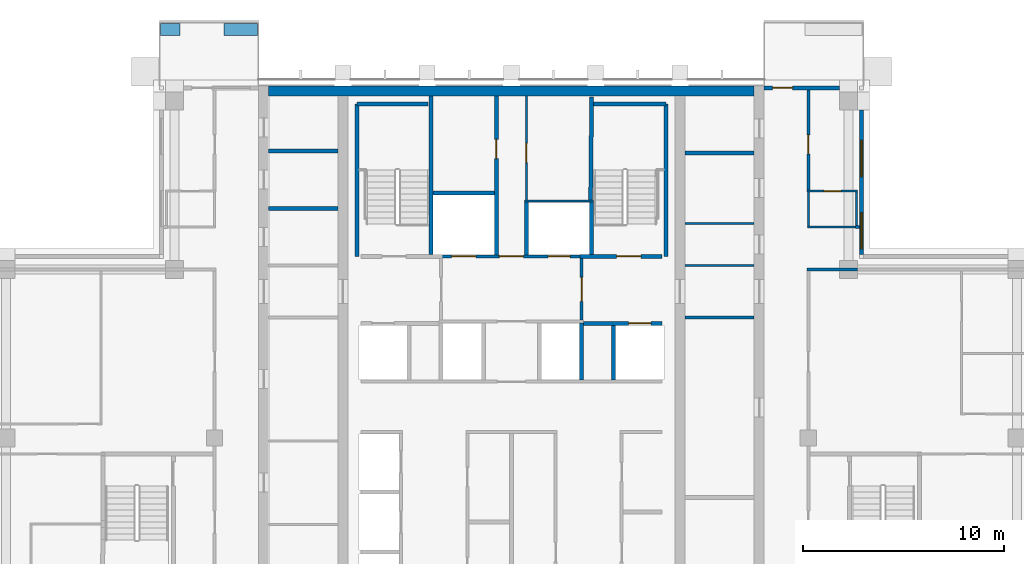
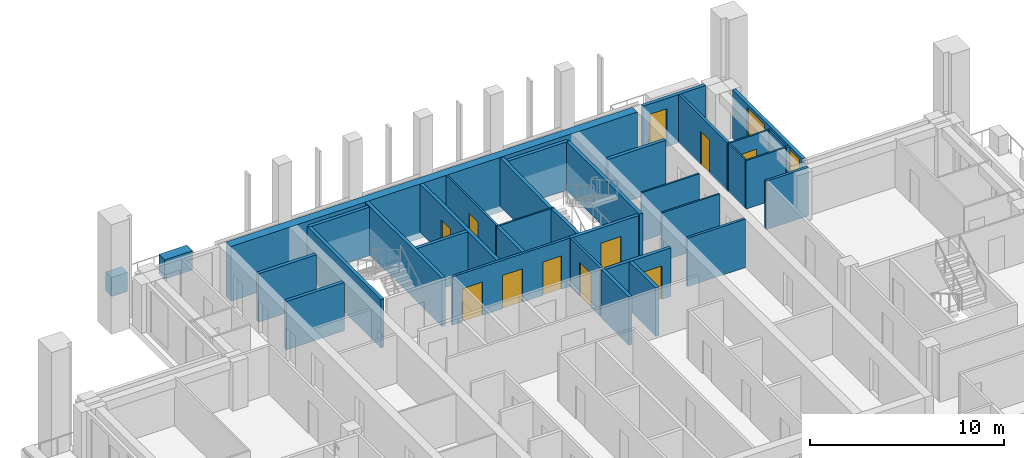
# One storey, part 11 of 16: 36 walls, 11 doors, 2 windows, 13 openings.
"""IFC4 building model written with IfcOpenShell, lengths in metres."""

from ifc_helpers import new_model, si_unit, direction, frame, frame_2d, origin, place, context, subcontext, project, spatial, rectangle, extrude, material, layer, layer_set, type_object, element, fill, save


model = new_model("IFC4")

# Units and contexts
model_context = context("Model", 3, precision=1e-05, world=origin(), true_north=direction((0.0, 1.0)))
body_context = subcontext(model_context, "Body", "Model", "MODEL_VIEW")
ifc_project = project(units=[si_unit("LENGTHUNIT", "METRE"), si_unit("AREAUNIT", "SQUARE_METRE"), si_unit("VOLUMEUNIT", "CUBIC_METRE"), si_unit("PLANEANGLEUNIT", "RADIAN"), si_unit("MASSUNIT", "GRAM", prefix="KILO")], contexts=[model_context])

# Site, building, storey
site_placement = place(None, origin())
site = spatial("IfcSite", under=ifc_project, at=site_placement, CompositionType="ELEMENT")
building_placement = place(site_placement, origin())
building = spatial("IfcBuilding", under=site, at=building_placement, Name="Vermilion Ogive Tower", CompositionType="ELEMENT")
storey_placement = place(building_placement, frame((0.0, 0.0, 233.800048828125)))
storey = spatial("IfcBuildingStorey", under=building, at=storey_placement, Name="L61", CompositionType="ELEMENT", Elevation=233.800048828125)

# Walls
ifc_material_1 = material(Name="Concrete B60", Category="concrete")
ifc_layer_1 = layer(ifc_material_1, 0.5)
ifc_layer_set_1 = layer_set([ifc_layer_1], Name="Core wall 500 B60")
wall_type_1 = type_object("IfcWallType", Name="Core wall 500 B60", PredefinedType="SHEAR", material=ifc_layer_set_1)
wall_1_placement = place(storey_placement, frame((-12.10009765625, 21.5, -0.400146484375), z_axis=(0.0, 0.0, 1.0), x_axis=(1.0, 0.0, 0.0)))
element("IfcWall", 1, at=wall_1_placement, inside=storey, type_object=wall_type_1, Name="L61-CORE-N", PredefinedType="SHEAR", context=body_context, shape_type="SweptSolid", body=[
    extrude(rectangle(XDim=24.2001953125, YDim=0.5, at=frame_2d((12.10009765625, 0.0))), origin(), (0.0, 0.0, 1.0), 3.4501953125),
])
ifc_material_2 = material(Name="Gypsum board partition on steel studs", Category="steel")
ifc_layer_2 = layer(ifc_material_2, 0.10009765625)
ifc_layer_set_2 = layer_set([ifc_layer_2], Name="Partition 100 bath")
wall_type_2 = type_object("IfcWallType", Name="Partition 100 bath", PredefinedType="PARTITIONING", material=ifc_layer_set_2)
wall_2_placement = place(storey_placement, frame((14.75, 14.699951171875, 0.0), z_axis=(0.0, 0.0, 1.0), x_axis=(1.0, 0.0, 0.0)))
element("IfcWall", 2, at=wall_2_placement, inside=storey, type_object=wall_type_2, Name="L61-W-W036", PredefinedType="PARTITIONING", context=body_context, shape_type="SweptSolid", body=[
    extrude(rectangle(XDim=2.5, YDim=0.10009765625, at=frame_2d((1.25, 0.0))), origin(), (0.0, 0.0, 1.0), 3.050048828125),
])

# Wall, opening, door
wall_3_placement = place(storey_placement, frame((14.72509765625, 16.5, 0.0), z_axis=(0.0, 0.0, 1.0), x_axis=(1.0, 0.0, 0.0)))
wall_3 = element("IfcWall", 3, at=wall_3_placement, inside=storey, type_object=wall_type_2, Name="L61-W-W039", PredefinedType="PARTITIONING", context=body_context, shape_type="SweptSolid", body=[
    extrude(rectangle(XDim=2.52490234375, YDim=0.10009765625, at=frame_2d((1.262451171875, 0.0))), origin(), (0.0, 0.0, 1.0), 3.050048828125),
])
opening_1_placement = place(wall_3_placement, frame((0.849853515625, 0.0, 0.0)))
opening_1 = element("IfcOpeningElement", 4, at=opening_1_placement, cuts=wall_3, Name="Opening D5G2022", PredefinedType="OPENING", context=body_context, shape_type="SweptSolid", body=[
    extrude(rectangle(XDim=0.85009765625, YDim=2.10009765625, at=frame_2d((0.425048828125, 1.050048828125))), frame((0.0, 0.06005859375, 0.0), z_axis=(0.0, -1.0, 0.0), x_axis=(1.0, 0.0, 0.0)), (0.0, 0.0, 1.0), 0.1201171875),
])
ifc_material_3 = material(Name="Timber door leaf", Category="wood")
door_type_1 = type_object("IfcDoorType", Name="Bath door 850 x 2100 FD30", OperationType="SINGLE_SWING_LEFT", PredefinedType="DOOR", material=ifc_material_3)
door_1_placement = place(opening_1_placement, origin())
door_1 = element("IfcDoor", 5, at=door_1_placement, inside=storey, type_object=door_type_1, Name="L61-D-D022", OperationType="SINGLE_SWING_RIGHT", OverallHeight=2.10009765625, OverallWidth=0.85009765625, PredefinedType="DOOR", context=body_context, shape_type="SweptSolid", body=[
    extrude(rectangle(XDim=0.85009765625, YDim=2.10009765625, at=frame_2d((0.425048828125, 1.050048828125))), frame((0.0, 0.02490234375, 0.0), z_axis=(0.0, -1.0, 0.0), x_axis=(1.0, 0.0, 0.0)), (0.0, 0.0, 1.0), 0.050048828125),
])
fill(opening_1, door_1)

# Walls
wall_4_placement = place(storey_placement, frame((14.800048828125, 14.75, 0.0), z_axis=(0.0, 0.0, 1.0), x_axis=(0.0, 1.0, 0.0)))
element("IfcWall", 6, at=wall_4_placement, inside=storey, type_object=wall_type_2, Name="L61-W-W070", PredefinedType="PARTITIONING", context=body_context, shape_type="SweptSolid", body=[
    extrude(rectangle(XDim=1.699951171875, YDim=0.10009765625, at=frame_2d((0.85009765625, 0.0))), origin(), (0.0, 0.0, 1.0), 3.050048828125),
])
wall_5_placement = place(storey_placement, frame((17.199951171875, 14.77490234375, 0.0), z_axis=(0.0, 0.0, 1.0), x_axis=(0.0, 1.0, 0.0)))
element("IfcWall", 7, at=wall_5_placement, inside=storey, type_object=wall_type_2, Name="L61-W-W073", PredefinedType="PARTITIONING", context=body_context, shape_type="SweptSolid", body=[
    extrude(rectangle(XDim=1.675048828125, YDim=0.10009765625, at=frame_2d((0.83740234375, 0.0))), origin(), (0.0, 0.0, 1.0), 3.050048828125),
])
wall_6_placement = place(storey_placement, frame((0.64990234375, 16.0, 0.0), z_axis=(0.0, 0.0, 1.0), x_axis=(1.0, 0.0, 0.0)))
element("IfcWall", 8, at=wall_6_placement, inside=storey, type_object=wall_type_2, Name="L61-CK-W-W018", PredefinedType="PARTITIONING", context=body_context, shape_type="SweptSolid", body=[
    extrude(rectangle(XDim=3.4501953125, YDim=0.10009765625, at=frame_2d((1.72509765625, 0.0))), origin(), (0.0, 0.0, 1.0), 3.050048828125),
])

# Wall, opening, door
wall_7_placement = place(storey_placement, frame((0.75, 16.050048828125, 0.0), z_axis=(0.0, 0.0, 1.0), x_axis=(0.0, 1.0, 0.0)))
wall_7 = element("IfcWall", 9, at=wall_7_placement, inside=storey, type_object=wall_type_2, Name="L61-CK-W-W030", PredefinedType="PARTITIONING", context=body_context, shape_type="SweptSolid", body=[
    extrude(rectangle(XDim=5.198974609375, YDim=0.10009765625, at=frame_2d((2.599609375, 0.0))), origin(), (0.0, 0.0, 1.0), 3.050048828125),
])
opening_2_placement = place(wall_7_placement, frame((1.875, 0.0, 0.0)))
opening_2 = element("IfcOpeningElement", 10, at=opening_2_placement, cuts=wall_7, Name="Opening DAA573", PredefinedType="OPENING", context=body_context, shape_type="SweptSolid", body=[
    extrude(rectangle(XDim=0.949951171875, YDim=2.10009765625, at=frame_2d((0.47509765625, 1.050048828125))), frame((0.0, 0.06005859375, 0.0), z_axis=(0.0, -1.0, 0.0), x_axis=(1.0, 0.0, 0.0)), (0.0, 0.0, 1.0), 0.1201171875),
])
ifc_material_4 = material(Name="Timber door leaf", Category="wood")
door_type_2 = type_object("IfcDoorType", Name="Service door 950 x 2100 FD60", OperationType="SINGLE_SWING_LEFT", PredefinedType="DOOR", material=ifc_material_4)
door_2_placement = place(opening_2_placement, origin())
door_2 = element("IfcDoor", 11, at=door_2_placement, inside=storey, type_object=door_type_2, Name="L61-CK-D-D022", OperationType="SINGLE_SWING_LEFT", OverallHeight=2.10009765625, OverallWidth=0.949951171875, PredefinedType="DOOR", context=body_context, shape_type="SweptSolid", body=[
    extrude(rectangle(XDim=0.949951171875, YDim=2.10009765625, at=frame_2d((0.47509765625, 1.050048828125))), frame((0.0, 0.02490234375, 0.0), z_axis=(0.0, -1.0, 0.0), x_axis=(1.0, 0.0, 0.0)), (0.0, 0.0, 1.0), 0.050048828125),
])
fill(opening_2, door_2)

# Walls
for number, where, z_axis, x_axis, name in (
    (12, (8.65087890625, 12.800048828125, 0.0), (0.0, 0.0, 1.0), (1.0, 0.0, 0.0), "L61-CKE-W-W003"),
    (13, (8.65087890625, 14.89111328125, 0.0), (0.0, 0.0, 1.0), (1.0, 0.0, 0.0), "L61-CKE-W-W004"),
):
    element("IfcWall", number, at=place(storey_placement, frame(where, z_axis=z_axis, x_axis=x_axis)), inside=storey, type_object=wall_type_2, Name=name, PredefinedType="PARTITIONING", context=body_context, shape_type="SweptSolid", body=[
        extrude(rectangle(XDim=3.4482421875, YDim=0.10009765625, at=frame_2d((1.72412109375, 0.0))), origin(), (0.0, 0.0, 1.0), 3.050048828125),
    ])
ifc_material_5 = material(Name="Gypsum board partition on steel studs", Category="steel")
ifc_layer_3 = layer(ifc_material_5, 0.14990234375)
ifc_layer_set_3 = layer_set([ifc_layer_3], Name="Partition 150 corridor")
wall_type_3 = type_object("IfcWallType", Name="Partition 150 corridor", PredefinedType="PARTITIONING", material=ifc_layer_set_3)
wall_8_placement = place(storey_placement, frame((14.72509765625, 12.60009765625, 0.0), z_axis=(0.0, 0.0, 1.0), x_axis=(1.0, 0.0, 0.0)))
element("IfcWall", 14, at=wall_8_placement, inside=storey, type_object=wall_type_3, Name="L61-W-W033", PredefinedType="PARTITIONING", context=body_context, shape_type="SweptSolid", body=[
    extrude(rectangle(XDim=2.52490234375, YDim=0.14990234375, at=frame_2d((1.262451171875, 0.0))), origin(), (0.0, 0.0, 1.0), 3.050048828125),
])
wall_9_placement = place(storey_placement, frame((17.14990234375, 14.699951171875, 0.0), z_axis=(0.0, 0.0, 1.0), x_axis=(1.0, 0.0, 0.0)))
element("IfcWall", 15, at=wall_9_placement, inside=storey, type_object=wall_type_3, Name="L61-W-W037", PredefinedType="PARTITIONING", context=body_context, shape_type="SweptSolid", body=[
    extrude(rectangle(XDim=0.2001953125, YDim=0.14990234375, at=frame_2d((0.10009765625, 0.0))), origin(), (0.0, 0.0, 1.0), 3.050048828125),
])

# Wall, opening, door
wall_10_placement = place(storey_placement, frame((14.800048828125, 16.550048828125, 0.0), z_axis=(0.0, 0.0, 1.0), x_axis=(0.0, 1.0, 0.0)))
wall_10 = element("IfcWall", 16, at=wall_10_placement, inside=storey, type_object=wall_type_3, Name="L61-W-W071", PredefinedType="PARTITIONING", context=body_context, shape_type="SweptSolid", body=[
    extrude(rectangle(XDim=5.0, YDim=0.14990234375, at=frame_2d((2.5, 0.0))), origin(), (0.0, 0.0, 1.0), 3.050048828125),
])
opening_3_placement = place(wall_10_placement, frame((1.800048828125, 0.0, 0.0)))
opening_3 = element("IfcOpeningElement", 17, at=opening_3_placement, cuts=wall_10, Name="Opening D5G2021", PredefinedType="OPENING", context=body_context, shape_type="SweptSolid", body=[
    extrude(rectangle(XDim=0.949951171875, YDim=2.10009765625, at=frame_2d((0.47509765625, 1.050048828125))), frame((0.0, 0.0849609375, 0.0), z_axis=(0.0, -1.0, 0.0), x_axis=(1.0, 0.0, 0.0)), (0.0, 0.0, 1.0), 0.169921875),
])
ifc_material_6 = material(Name="Timber door leaf", Category="wood")
door_type_3 = type_object("IfcDoorType", Name="Unit door 950 x 2100 FD30S", OperationType="SINGLE_SWING_LEFT", PredefinedType="DOOR", material=ifc_material_6)
door_3_placement = place(opening_3_placement, origin())
door_3 = element("IfcDoor", 18, at=door_3_placement, inside=storey, type_object=door_type_3, Name="L61-D-D021", OperationType="SINGLE_SWING_LEFT", OverallHeight=2.10009765625, OverallWidth=0.949951171875, PredefinedType="DOOR", context=body_context, shape_type="SweptSolid", body=[
    extrude(rectangle(XDim=0.949951171875, YDim=2.10009765625, at=frame_2d((0.47509765625, 1.050048828125))), frame((0.0, 0.02490234375, 0.0), z_axis=(0.0, -1.0, 0.0), x_axis=(1.0, 0.0, 0.0)), (0.0, 0.0, 1.0), 0.050048828125),
])
fill(opening_3, door_3)

# Wall, openings, doors
wall_11_placement = place(storey_placement, frame((-3.574951171875, 13.25, 0.0), z_axis=(0.0, 0.0, 1.0), x_axis=(1.0, 0.0, 0.0)))
wall_11 = element("IfcWall", 19, at=wall_11_placement, inside=storey, type_object=wall_type_3, Name="L61-CK-W-W016", PredefinedType="PARTITIONING", context=body_context, shape_type="SweptSolid", body=[
    extrude(rectangle(XDim=7.14990234375, YDim=0.14990234375, at=frame_2d((3.574951171875, 0.0))), origin(), (0.0, 0.0, 1.0), 3.050048828125),
])
opening_4_placement = place(wall_11_placement, frame((0.599853515625, 0.0, 0.0)))
opening_4 = element("IfcOpeningElement", 20, at=opening_4_placement, cuts=wall_11, Name="Opening DAA584", PredefinedType="OPENING", context=body_context, shape_type="SweptSolid", body=[
    extrude(rectangle(XDim=1.199951171875, YDim=2.10009765625, at=frame_2d((0.60009765625, 1.050048828125))), frame((0.0, 0.0849609375, 0.0), z_axis=(0.0, -1.0, 0.0), x_axis=(1.0, 0.0, 0.0)), (0.0, 0.0, 1.0), 0.169921875),
])
opening_5_placement = place(wall_11_placement, frame((5.39990234375, 0.0, 0.0)))
opening_5 = element("IfcOpeningElement", 21, at=opening_5_placement, cuts=wall_11, Name="Opening DAA583", PredefinedType="OPENING", context=body_context, shape_type="SweptSolid", body=[
    extrude(rectangle(XDim=1.10009765625, YDim=2.10009765625, at=frame_2d((0.550048828125, 1.050048828125))), frame((0.0, 0.0849609375, 0.0), z_axis=(0.0, -1.0, 0.0), x_axis=(1.0, 0.0, 0.0)), (0.0, 0.0, 1.0), 0.169921875),
])
opening_6_placement = place(wall_11_placement, frame((2.974853515625, 0.0, 0.0)))
opening_6 = element("IfcOpeningElement", 22, at=opening_6_placement, cuts=wall_11, Name="Opening DAA565", PredefinedType="OPENING", context=body_context, shape_type="SweptSolid", body=[
    extrude(rectangle(XDim=1.199951171875, YDim=2.10009765625, at=frame_2d((0.60009765625, 1.050048828125))), frame((0.0, 0.0849609375, 0.0), z_axis=(0.0, -1.0, 0.0), x_axis=(1.0, 0.0, 0.0)), (0.0, 0.0, 1.0), 0.169921875),
])
ifc_material_7 = material(Name="Stainless steel", Category="steel")
door_type_4 = type_object("IfcDoorType", Name="Lift landing door 1100 x 2100", OperationType="SLIDING_TO_LEFT", PredefinedType="DOOR", material=ifc_material_7)
door_4_placement = place(opening_5_placement, origin())
door_4 = element("IfcDoor", 23, at=door_4_placement, inside=storey, type_object=door_type_4, Name="L61-CK-D-D019", OperationType="SLIDING_TO_LEFT", OverallHeight=2.10009765625, OverallWidth=1.10009765625, PredefinedType="DOOR", context=body_context, shape_type="SweptSolid", body=[
    extrude(rectangle(XDim=1.10009765625, YDim=2.10009765625, at=frame_2d((0.550048828125, 1.050048828125))), frame((0.0, 0.02490234375, 0.0), z_axis=(0.0, -1.0, 0.0), x_axis=(1.0, 0.0, 0.0)), (0.0, 0.0, 1.0), 0.050048828125),
])
fill(opening_5, door_4)
ifc_material_8 = material(Name="Stainless steel", Category="steel")
door_type_5 = type_object("IfcDoorType", Name="Lift landing door 1200 x 2100", OperationType="SLIDING_TO_LEFT", PredefinedType="DOOR", material=ifc_material_8)
door_5_placement = place(opening_4_placement, origin())
door_5 = element("IfcDoor", 24, at=door_5_placement, inside=storey, type_object=door_type_5, Name="L61-CK-D-D018", OperationType="SLIDING_TO_RIGHT", OverallHeight=2.10009765625, OverallWidth=1.199951171875, PredefinedType="DOOR", context=body_context, shape_type="SweptSolid", body=[
    extrude(rectangle(XDim=1.199951171875, YDim=2.10009765625, at=frame_2d((0.60009765625, 1.050048828125))), frame((0.0, 0.02490234375, 0.0), z_axis=(0.0, -1.0, 0.0), x_axis=(1.0, 0.0, 0.0)), (0.0, 0.0, 1.0), 0.050048828125),
])
fill(opening_4, door_5)
ifc_material_9 = material(Name="Timber door leaf", Category="wood")
door_type_6 = type_object("IfcDoorType", Name="Service door 1200 x 2100 FD60", OperationType="SINGLE_SWING_LEFT", PredefinedType="DOOR", material=ifc_material_9)
door_6_placement = place(opening_6_placement, origin())
door_6 = element("IfcDoor", 25, at=door_6_placement, inside=storey, type_object=door_type_6, Name="L61-CK-D-D020", OperationType="SINGLE_SWING_RIGHT", OverallHeight=2.10009765625, OverallWidth=1.199951171875, PredefinedType="DOOR", context=body_context, shape_type="SweptSolid", body=[
    extrude(rectangle(XDim=1.199951171875, YDim=2.10009765625, at=frame_2d((0.60009765625, 1.050048828125))), frame((0.0, 0.02490234375, 0.0), z_axis=(0.0, -1.0, 0.0), x_axis=(1.0, 0.0, 0.0)), (0.0, 0.0, 1.0), 0.050048828125),
])
fill(opening_6, door_6)

# Wall, opening, door
wall_12_placement = place(storey_placement, frame((3.5, 10.074951171875, 0.0), z_axis=(0.0, 0.0, 1.0), x_axis=(0.0, 1.0, 0.0)))
wall_12 = element("IfcWall", 26, at=wall_12_placement, inside=storey, type_object=wall_type_3, Name="L61-CK-W-W034", PredefinedType="PARTITIONING", context=body_context, shape_type="SweptSolid", body=[
    extrude(rectangle(XDim=3.074951171875, YDim=0.14990234375, at=frame_2d((1.53759765625, 0.0))), origin(), (0.0, 0.0, 1.0), 3.050048828125),
])
opening_7_placement = place(wall_12_placement, frame((0.925048828125, 0.0, 0.0)))
opening_7 = element("IfcOpeningElement", 27, at=opening_7_placement, cuts=wall_12, Name="Opening DAA562", PredefinedType="OPENING", context=body_context, shape_type="SweptSolid", body=[
    extrude(rectangle(XDim=1.199951171875, YDim=2.10009765625, at=frame_2d((0.60009765625, 1.050048828125))), frame((0.0, 0.0849609375, 0.0), z_axis=(0.0, -1.0, 0.0), x_axis=(1.0, 0.0, 0.0)), (0.0, 0.0, 1.0), 0.169921875),
])
ifc_material_10 = material(Name="Timber door leaf", Category="wood")
door_type_7 = type_object("IfcDoorType", Name="Lobby door 1200 x 2100 FD60S", OperationType="SINGLE_SWING_LEFT", PredefinedType="DOOR", material=ifc_material_10)
door_7_placement = place(opening_7_placement, origin())
door_7 = element("IfcDoor", 28, at=door_7_placement, inside=storey, type_object=door_type_7, Name="L61-CK-D-D024", OperationType="SINGLE_SWING_LEFT", OverallHeight=2.10009765625, OverallWidth=1.199951171875, PredefinedType="DOOR", context=body_context, shape_type="SweptSolid", body=[
    extrude(rectangle(XDim=1.199951171875, YDim=2.10009765625, at=frame_2d((0.60009765625, 1.050048828125))), frame((0.0, 0.02490234375, 0.0), z_axis=(0.0, -1.0, 0.0), x_axis=(1.0, 0.0, 0.0)), (0.0, 0.0, 1.0), 0.050048828125),
])
fill(opening_7, door_7)

# Wall
wall_13_placement = place(storey_placement, frame((8.65087890625, 10.199951171875, 0.0), z_axis=(0.0, 0.0, 1.0), x_axis=(1.0, 0.0, 0.0)))
element("IfcWall", 29, at=wall_13_placement, inside=storey, type_object=wall_type_3, Name="L61-CKE-W-W002", PredefinedType="PARTITIONING", context=body_context, shape_type="SweptSolid", body=[
    extrude(rectangle(XDim=3.4482421875, YDim=0.14990234375, at=frame_2d((1.72412109375, 0.0))), origin(), (0.0, 0.0, 1.0), 3.050048828125),
])

# Wall, opening, door
ifc_material_11 = material(Name="Gypsum board partition on steel studs", Category="steel")
ifc_layer_4 = layer(ifc_material_11, 0.199951171875)
ifc_layer_set_4 = layer_set([ifc_layer_4], Name="Partition 200 party")
wall_type_4 = type_object("IfcWallType", Name="Partition 200 party", PredefinedType="PARTITIONING", material=ifc_layer_set_4)
wall_14_placement = place(storey_placement, frame((3.60009765625, 9.89990234375, 0.0), z_axis=(0.0, 0.0, 1.0), x_axis=(1.0, 0.0, 0.0)))
wall_14 = element("IfcWall", 30, at=wall_14_placement, inside=storey, type_object=wall_type_4, Name="L61-CK-W-W013", PredefinedType="PARTITIONING", context=body_context, shape_type="SweptSolid", body=[
    extrude(rectangle(XDim=3.89990234375, YDim=0.199951171875, at=frame_2d((1.949951171875, 0.0))), origin(), (0.0, 0.0, 1.0), 3.050048828125),
])
opening_8_placement = place(wall_14_placement, frame((2.25, 0.0, 0.0)))
opening_8 = element("IfcOpeningElement", 31, at=opening_8_placement, cuts=wall_14, Name="Opening DAA582", PredefinedType="OPENING", context=body_context, shape_type="SweptSolid", body=[
    extrude(rectangle(XDim=1.10009765625, YDim=2.10009765625, at=frame_2d((0.550048828125, 1.050048828125))), frame((0.0, 0.10986328125, 0.0), z_axis=(0.0, -1.0, 0.0), x_axis=(1.0, 0.0, 0.0)), (0.0, 0.0, 1.0), 0.219970703125),
])
door_8_placement = place(opening_8_placement, origin())
door_8 = element("IfcDoor", 32, at=door_8_placement, inside=storey, type_object=door_type_4, Name="L61-CK-D-D015", OperationType="SLIDING_TO_LEFT", OverallHeight=2.10009765625, OverallWidth=1.10009765625, PredefinedType="DOOR", context=body_context, shape_type="SweptSolid", body=[
    extrude(rectangle(XDim=1.10009765625, YDim=2.10009765625, at=frame_2d((0.550048828125, 1.050048828125))), frame((0.0, 0.02490234375, 0.0), z_axis=(0.0, -1.0, 0.0), x_axis=(1.0, 0.0, 0.0)), (0.0, 0.0, 1.0), 0.050048828125),
])
fill(opening_8, door_8)

# Wall
wall_15_placement = place(storey_placement, frame((-3.89990234375, 16.39990234375, 0.0), z_axis=(0.0, 0.0, 1.0), x_axis=(1.0, 0.0, 0.0)))
element("IfcWall", 33, at=wall_15_placement, inside=storey, type_object=wall_type_4, Name="L61-CK-W-W019", PredefinedType="PARTITIONING", context=body_context, shape_type="SweptSolid", body=[
    extrude(rectangle(XDim=3.0498046875, YDim=0.199951171875, at=frame_2d((1.52490234375, 0.0))), origin(), (0.0, 0.0, 1.0), 3.050048828125),
])

# Wall, opening, door
wall_16_placement = place(storey_placement, frame((-0.75, 13.324951171875, 0.0), z_axis=(0.0, 0.0, 1.0), x_axis=(0.0, 1.0, 0.0)))
wall_16 = element("IfcWall", 34, at=wall_16_placement, inside=storey, type_object=wall_type_4, Name="L61-CK-W-W027", PredefinedType="PARTITIONING", context=body_context, shape_type="SweptSolid", body=[
    extrude(rectangle(XDim=7.924072265625, YDim=0.199951171875, at=frame_2d((3.9619140625, 0.0))), origin(), (0.0, 0.0, 1.0), 3.050048828125),
])
opening_9_placement = place(wall_16_placement, frame((4.800048828125, 0.0, 0.0)))
opening_9 = element("IfcOpeningElement", 35, at=opening_9_placement, cuts=wall_16, Name="Opening DAA572", PredefinedType="OPENING", context=body_context, shape_type="SweptSolid", body=[
    extrude(rectangle(XDim=0.949951171875, YDim=2.10009765625, at=frame_2d((0.47509765625, 1.050048828125))), frame((0.0, 0.10986328125, 0.0), z_axis=(0.0, -1.0, 0.0), x_axis=(1.0, 0.0, 0.0)), (0.0, 0.0, 1.0), 0.219970703125),
])
door_9_placement = place(opening_9_placement, origin())
door_9 = element("IfcDoor", 36, at=door_9_placement, inside=storey, type_object=door_type_2, Name="L61-CK-D-D021", OperationType="SINGLE_SWING_RIGHT", OverallHeight=2.10009765625, OverallWidth=0.949951171875, PredefinedType="DOOR", context=body_context, shape_type="SweptSolid", body=[
    extrude(rectangle(XDim=0.949951171875, YDim=2.10009765625, at=frame_2d((0.47509765625, 1.050048828125))), frame((0.0, 0.02490234375, 0.0), z_axis=(0.0, -1.0, 0.0), x_axis=(1.0, 0.0, 0.0)), (0.0, 0.0, 1.0), 0.050048828125),
])
fill(opening_9, door_9)

# Walls
wall_17_placement = place(storey_placement, frame((0.75, 13.324951171875, 0.0), z_axis=(0.0, 0.0, 1.0), x_axis=(0.0, 1.0, 0.0)))
element("IfcWall", 37, at=wall_17_placement, inside=storey, type_object=wall_type_4, Name="L61-CK-W-W029", PredefinedType="PARTITIONING", context=body_context, shape_type="SweptSolid", body=[
    extrude(rectangle(XDim=2.625, YDim=0.199951171875, at=frame_2d((1.3125, 0.0))), origin(), (0.0, 0.0, 1.0), 3.050048828125),
])
wall_18_placement = place(storey_placement, frame((3.5, 7.074951171875, 0.0), z_axis=(0.0, 0.0, 1.0), x_axis=(0.0, 1.0, 0.0)))
element("IfcWall", 38, at=wall_18_placement, inside=storey, type_object=wall_type_4, Name="L61-CK-W-W033", PredefinedType="PARTITIONING", context=body_context, shape_type="SweptSolid", body=[
    extrude(rectangle(XDim=2.85009765625, YDim=0.199951171875, at=frame_2d((1.425048828125, 0.0))), origin(), (0.0, 0.0, 1.0), 3.050048828125),
])
wall_19_placement = place(storey_placement, frame((5.10009765625, 7.074951171875, 0.0), z_axis=(0.0, 0.0, 1.0), x_axis=(0.0, 1.0, 0.0)))
element("IfcWall", 39, at=wall_19_placement, inside=storey, type_object=wall_type_4, Name="L61-CK-W-W037", PredefinedType="PARTITIONING", context=body_context, shape_type="SweptSolid", body=[
    extrude(rectangle(XDim=2.72509765625, YDim=0.199951171875, at=frame_2d((1.362548828125, 0.0))), origin(), (0.0, 0.0, 1.0), 3.050048828125),
])
for number, where, z_axis, x_axis, name in (
    (40, (-12.09912109375, 15.636962890625, 0.0), (0.0, 0.0, 1.0), (1.0, 0.0, 0.0), "L61-CKW-W-W005"),
    (41, (-12.09912109375, 18.509033203125, 0.0), (0.0, 0.0, 1.0), (1.0, 0.0, 0.0), "L61-CKW-W-W006"),
    (42, (8.65087890625, 18.410888671875, 0.0), (0.0, 0.0, 1.0), (1.0, 0.0, 0.0), "L61-CKE-W-W005"),
):
    element("IfcWall", number, at=place(storey_placement, frame(where, z_axis=z_axis, x_axis=x_axis)), inside=storey, type_object=wall_type_4, Name=name, PredefinedType="PARTITIONING", context=body_context, shape_type="SweptSolid", body=[
        extrude(rectangle(XDim=3.4482421875, YDim=0.199951171875, at=frame_2d((1.72412109375, 0.0))), origin(), (0.0, 0.0, 1.0), 3.050048828125),
    ])

# Wall, opening, door
ifc_material_12 = material(Name="Concrete B60", Category="concrete")
ifc_layer_5 = layer(ifc_material_12, 0.199951171875)
ifc_layer_set_5 = layer_set([ifc_layer_5], Name="Stair shaft wall 200 Concrete B60")
wall_type_5 = type_object("IfcWallType", Name="Stair shaft wall 200 Concrete B60", PredefinedType="SOLIDWALL", material=ifc_layer_set_5)
wall_20_placement = place(storey_placement, frame((3.425048828125, 13.25, 0.0), z_axis=(0.0, 0.0, 1.0), x_axis=(1.0, 0.0, 0.0)))
wall_20 = element("IfcWall", 43, at=wall_20_placement, inside=storey, type_object=wall_type_5, Name="L61-CK-W-W017", PredefinedType="SOLIDWALL", context=body_context, shape_type="SweptSolid", body=[
    extrude(rectangle(XDim=4.074951171875, YDim=0.199951171875, at=frame_2d((2.03759765625, 0.0))), origin(), (0.0, 0.0, 1.0), 3.050048828125),
])
opening_10_placement = place(wall_20_placement, frame((1.824951171875, 0.0, 0.0)))
opening_10 = element("IfcOpeningElement", 44, at=opening_10_placement, cuts=wall_20, Name="Opening DAA575", PredefinedType="OPENING", context=body_context, shape_type="SweptSolid", body=[
    extrude(rectangle(XDim=1.199951171875, YDim=2.10009765625, at=frame_2d((0.60009765625, 1.050048828125))), frame((0.0, 0.10986328125, 0.0), z_axis=(0.0, -1.0, 0.0), x_axis=(1.0, 0.0, 0.0)), (0.0, 0.0, 1.0), 0.219970703125),
])
ifc_material_13 = material(Name="Timber door leaf", Category="wood")
door_type_8 = type_object("IfcDoorType", Name="Stair door 1200 x 2100 FD60S", OperationType="SINGLE_SWING_LEFT", PredefinedType="DOOR", material=ifc_material_13)
door_10_placement = place(opening_10_placement, origin())
door_10 = element("IfcDoor", 45, at=door_10_placement, inside=storey, type_object=door_type_8, Name="L61-CK-D-D014", OperationType="SINGLE_SWING_RIGHT", OverallHeight=2.10009765625, OverallWidth=1.199951171875, PredefinedType="DOOR", context=body_context, shape_type="SweptSolid", body=[
    extrude(rectangle(XDim=1.199951171875, YDim=2.10009765625, at=frame_2d((0.60009765625, 1.050048828125))), frame((0.0, 0.02490234375, 0.0), z_axis=(0.0, -1.0, 0.0), x_axis=(1.0, 0.0, 0.0)), (0.0, 0.0, 1.0), 0.050048828125),
])
fill(opening_10, door_10)

# Walls
wall_21_placement = place(storey_placement, frame((-4.0, 13.35009765625, 0.0), z_axis=(0.0, 0.0, 1.0), x_axis=(0.0, 1.0, 0.0)))
element("IfcWall", 46, at=wall_21_placement, inside=storey, type_object=wall_type_5, Name="L61-CK-W-W022", PredefinedType="SOLIDWALL", context=body_context, shape_type="SweptSolid", body=[
    extrude(rectangle(XDim=7.89892578125, YDim=0.199951171875, at=frame_2d((3.949462890625, 0.0))), origin(), (0.0, 0.0, 1.0), 3.050048828125),
])
wall_22_placement = place(storey_placement, frame((4.0, 13.35009765625, 0.0), z_axis=(0.0, 0.0, 1.0), x_axis=(0.0, 1.0, 0.0)))
element("IfcWall", 47, at=wall_22_placement, inside=storey, type_object=wall_type_5, Name="L61-CK-W-W035", PredefinedType="SOLIDWALL", context=body_context, shape_type="SweptSolid", body=[
    extrude(rectangle(XDim=2.599853515625, YDim=0.199951171875, at=frame_2d((1.2998046875, 0.0))), origin(), (0.0, 0.0, 1.0), 3.050048828125),
])
wall_23_placement = place(storey_placement, frame((3.949951171875, 16.050048828125, 0.0), z_axis=(0.0, 0.0, 1.0), x_axis=(0.009719787395, 0.999952761751, 0.0)))
element("IfcWall", 48, at=wall_23_placement, inside=storey, type_object=wall_type_5, Name="L61-CK-W-W036", PredefinedType="SOLIDWALL", context=body_context, shape_type="SweptSolid", body=[
    extrude(rectangle(XDim=5.149169921875, YDim=0.199951171875, at=frame_2d((2.57470703125, 0.0))), origin(), (0.0, 0.0, 1.0), 3.050048828125),
])
wall_24_placement = place(storey_placement, frame((-7.699951171875, 13.25, 0.0), z_axis=(0.0, 0.0, 1.0), x_axis=(0.0, 1.0, 0.0)))
element("IfcWall", 49, at=wall_24_placement, inside=storey, type_object=wall_type_5, Name="L61-SW-R017-W1", PredefinedType="SOLIDWALL", context=body_context, shape_type="SweptSolid", body=[
    extrude(rectangle(XDim=7.60009765625, YDim=0.199951171875, at=frame_2d((3.800048828125, 0.0))), origin(), (0.0, 0.0, 1.0), 3.050048828125),
])
wall_25_placement = place(storey_placement, frame((-7.699951171875, 20.85009765625, 0.0), z_axis=(0.0, 0.0, 1.0), x_axis=(1.0, 0.0, 0.0)))
element("IfcWall", 50, at=wall_25_placement, inside=storey, type_object=wall_type_5, Name="L61-SW-R017-N1", PredefinedType="SOLIDWALL", context=body_context, shape_type="SweptSolid", body=[
    extrude(rectangle(XDim=3.550048828125, YDim=0.199951171875, at=frame_2d((1.77490234375, 0.0))), origin(), (0.0, 0.0, 1.0), 3.050048828125),
])
wall_26_placement = place(storey_placement, frame((7.699951171875, 13.25, 0.0), z_axis=(0.0, 0.0, 1.0), x_axis=(0.0, 1.0, 0.0)))
element("IfcWall", 51, at=wall_26_placement, inside=storey, type_object=wall_type_5, Name="L61-SW-R021-E1", PredefinedType="SOLIDWALL", context=body_context, shape_type="SweptSolid", body=[
    extrude(rectangle(XDim=7.60009765625, YDim=0.199951171875, at=frame_2d((3.800048828125, 0.0))), origin(), (0.0, 0.0, 1.0), 3.050048828125),
])
wall_27_placement = place(storey_placement, frame((4.10009765625, 20.85009765625, 0.0), z_axis=(0.0, 0.0, 1.0), x_axis=(1.0, 0.0, 0.0)))
element("IfcWall", 52, at=wall_27_placement, inside=storey, type_object=wall_type_5, Name="L61-SW-R021-N1", PredefinedType="SOLIDWALL", context=body_context, shape_type="SweptSolid", body=[
    extrude(rectangle(XDim=3.599853515625, YDim=0.199951171875, at=frame_2d((1.7998046875, 0.0))), origin(), (0.0, 0.0, 1.0), 3.050048828125),
])
ifc_material_14 = material(Name="Concrete B40", Category="concrete")
ifc_layer_6 = layer(ifc_material_14, 0.60009765625)
ifc_layer_set_6 = layer_set([ifc_layer_6], Name="Structural planter")
wall_type_6 = type_object("IfcWallType", Name="Structural planter", PredefinedType="USERDEFINED", material=ifc_layer_set_6)
wall_28_placement = place(storey_placement, frame((-12.659912109375, 24.550048828125, -0.0400390625), z_axis=(0.0, 0.0, 1.0), x_axis=(-1.0, 0.0, 0.0)))
element("IfcWall", 53, at=wall_28_placement, inside=storey, type_object=wall_type_6, Name="Planter N201A1", ObjectType="PLANTER", PredefinedType="USERDEFINED", context=body_context, shape_type="SweptSolid", body=[
    extrude(rectangle(XDim=1.6650390625, YDim=0.60009765625, at=frame_2d((0.83251953125, 0.0))), origin(), (0.0, 0.0, 1.0), 1.199951171875),
])
wall_29_placement = place(storey_placement, frame((-16.52490234375, 24.550048828125, -0.0400390625), z_axis=(0.0, 0.0, 1.0), x_axis=(-1.0, 0.0, 0.0)))
element("IfcWall", 54, at=wall_29_placement, inside=storey, type_object=wall_type_6, Name="Planter N201A2", ObjectType="PLANTER", PredefinedType="USERDEFINED", context=body_context, shape_type="SweptSolid", body=[
    extrude(rectangle(XDim=0.965087890625, YDim=0.60009765625, at=frame_2d((0.482421875, 0.0))), origin(), (0.0, 0.0, 1.0), 1.199951171875),
])

# Wall, openings, windows
ifc_material_15 = material(Name="Aluminium window wall framing", Category="aluminium")
ifc_layer_7 = layer(ifc_material_15, 0.199951171875)
ifc_layer_set_7 = layer_set([ifc_layer_7], Name="Window wall")
wall_type_7 = type_object("IfcWallType", Name="Window wall", PredefinedType="STANDARD", material=ifc_layer_set_7)
wall_30_placement = place(storey_placement, frame((17.449951171875, 13.35009765625, 0.0), z_axis=(0.0, 0.0, 1.0), x_axis=(0.0, 1.0, 0.0)))
wall_30 = element("IfcWall", 55, at=wall_30_placement, inside=storey, type_object=wall_type_7, Name="Window wall X41", PredefinedType="STANDARD", context=body_context, shape_type="SweptSolid", body=[
    extrude(rectangle(XDim=7.199951171875, YDim=0.199951171875, at=frame_2d((3.60009765625, 0.0))), origin(), (0.0, 0.0, 1.0), 3.050048828125),
])
opening_11_placement = place(wall_30_placement, frame((0.27490234375, 0.0, 0.199951171875)))
opening_11 = element("IfcOpeningElement", 56, at=opening_11_placement, cuts=wall_30, Name="Opening W1-X403", PredefinedType="OPENING", context=body_context, shape_type="SweptSolid", body=[
    extrude(rectangle(XDim=1.800048828125, YDim=2.64990234375, at=frame_2d((0.89990234375, 1.324951171875))), frame((0.0, 0.10986328125, 0.0), z_axis=(0.0, -1.0, 0.0), x_axis=(1.0, 0.0, 0.0)), (0.0, 0.0, 1.0), 0.219970703125),
])
opening_12_placement = place(wall_30_placement, frame((3.875, 0.0, 0.199951171875)))
opening_12 = element("IfcOpeningElement", 57, at=opening_12_placement, cuts=wall_30, Name="Opening W1-X404", PredefinedType="OPENING", context=body_context, shape_type="SweptSolid", body=[
    extrude(rectangle(XDim=1.800048828125, YDim=2.64990234375, at=frame_2d((0.89990234375, 1.324951171875))), frame((0.0, 0.10986328125, 0.0), z_axis=(0.0, -1.0, 0.0), x_axis=(1.0, 0.0, 0.0)), (0.0, 0.0, 1.0), 0.219970703125),
])
ifc_material_16 = material(Name="Aluminium framed double glazing", Category="aluminium")
window_type = type_object("IfcWindowType", Name="Guest window W1", PartitioningType="SINGLE_PANEL", PredefinedType="WINDOW", material=ifc_material_16)
window_1_placement = place(opening_11_placement, origin())
window_1 = element("IfcWindow", 58, at=window_1_placement, inside=storey, type_object=window_type, Name="Window X403", OverallHeight=2.64990234375, OverallWidth=1.800048828125, PartitioningType="SINGLE_PANEL", PredefinedType="WINDOW", context=body_context, shape_type="SweptSolid", body=[
    extrude(rectangle(XDim=1.800048828125, YDim=2.64990234375, at=frame_2d((0.89990234375, 1.324951171875))), frame((0.0, 0.030029296875, 0.0), z_axis=(0.0, -1.0, 0.0), x_axis=(1.0, 0.0, 0.0)), (0.0, 0.0, 1.0), 0.06005859375),
])
fill(opening_11, window_1)
window_2_placement = place(opening_12_placement, origin())
window_2 = element("IfcWindow", 59, at=window_2_placement, inside=storey, type_object=window_type, Name="Window X404", OverallHeight=2.64990234375, OverallWidth=1.800048828125, PartitioningType="SINGLE_PANEL", PredefinedType="WINDOW", context=body_context, shape_type="SweptSolid", body=[
    extrude(rectangle(XDim=1.800048828125, YDim=2.64990234375, at=frame_2d((0.89990234375, 1.324951171875))), frame((0.0, 0.030029296875, 0.0), z_axis=(0.0, -1.0, 0.0), x_axis=(1.0, 0.0, 0.0)), (0.0, 0.0, 1.0), 0.06005859375),
])
fill(opening_12, window_2)

# Wall, opening, door
wall_31_placement = place(storey_placement, frame((16.35009765625, 21.64990234375, 0.0), z_axis=(0.0, 0.0, 1.0), x_axis=(-1.0, 0.0, 0.0)))
wall_31 = element("IfcWall", 60, at=wall_31_placement, inside=storey, type_object=wall_type_7, Name="Window wall N11", PredefinedType="STANDARD", context=body_context, shape_type="SweptSolid", body=[
    extrude(rectangle(XDim=3.75, YDim=0.199951171875, at=frame_2d((1.875, 0.0))), origin(), (0.0, 0.0, 1.0), 3.050048828125),
])
opening_13_placement = place(wall_31_placement, frame((2.324951171875, 0.0, 0.0)))
opening_13 = element("IfcOpeningElement", 61, at=opening_13_placement, cuts=wall_31, Name="Opening D1-N103", PredefinedType="OPENING", context=body_context, shape_type="SweptSolid", body=[
    extrude(rectangle(XDim=1.0, YDim=2.39990234375, at=frame_2d((0.5, 1.199951171875))), frame((0.0, 0.10986328125, 0.0), z_axis=(0.0, -1.0, 0.0), x_axis=(1.0, 0.0, 0.0)), (0.0, 0.0, 1.0), 0.219970703125),
])
ifc_material_17 = material(Name="Aluminium framed glazed door", Category="aluminium")
door_type_9 = type_object("IfcDoorType", Name="Balcony door D1", OperationType="SINGLE_SWING_LEFT", PredefinedType="DOOR", material=ifc_material_17)
door_11_placement = place(opening_13_placement, origin())
door_11 = element("IfcDoor", 62, at=door_11_placement, inside=storey, type_object=door_type_9, Name="Balcony door N103", OperationType="SINGLE_SWING_LEFT", OverallHeight=2.39990234375, OverallWidth=1.0, PredefinedType="DOOR", context=body_context, shape_type="SweptSolid", body=[
    extrude(rectangle(XDim=1.0, YDim=2.39990234375, at=frame_2d((0.5, 1.199951171875))), frame((0.0, 0.02490234375, 0.0), z_axis=(0.0, -1.0, 0.0), x_axis=(1.0, 0.0, 0.0)), (0.0, 0.0, 1.0), 0.050048828125),
])
fill(opening_13, door_11)

save(model, "model.ifc")
